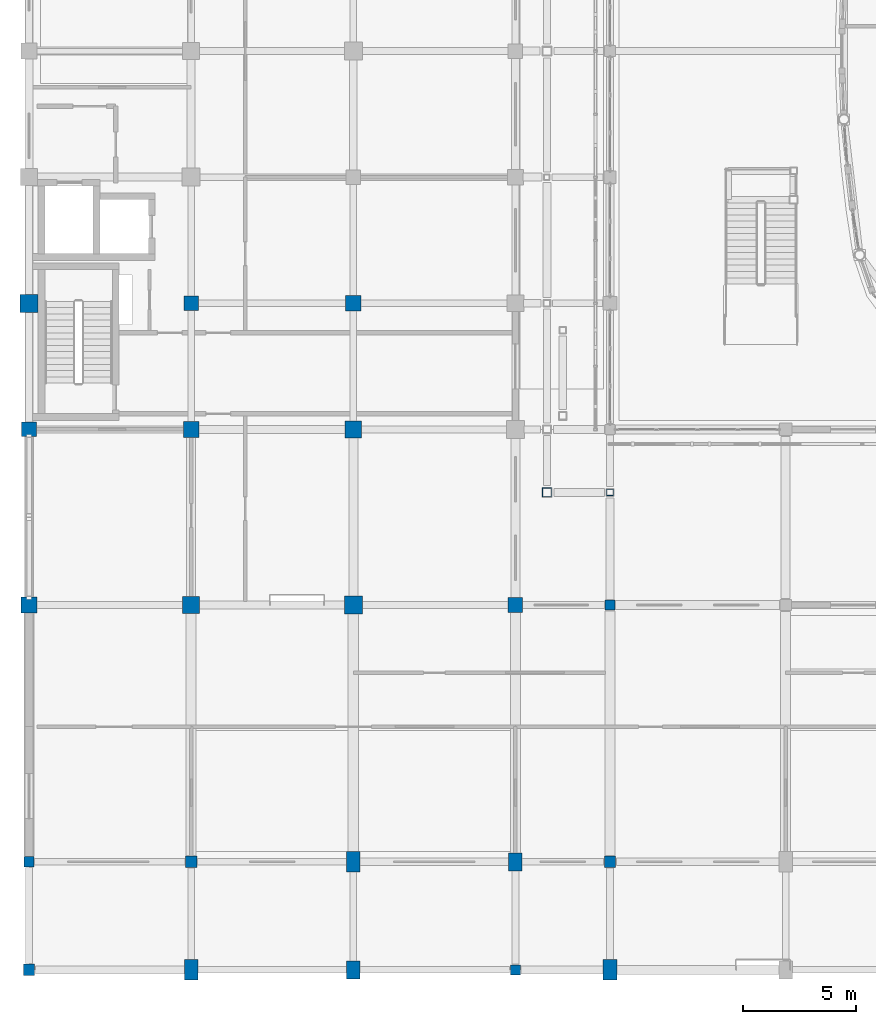
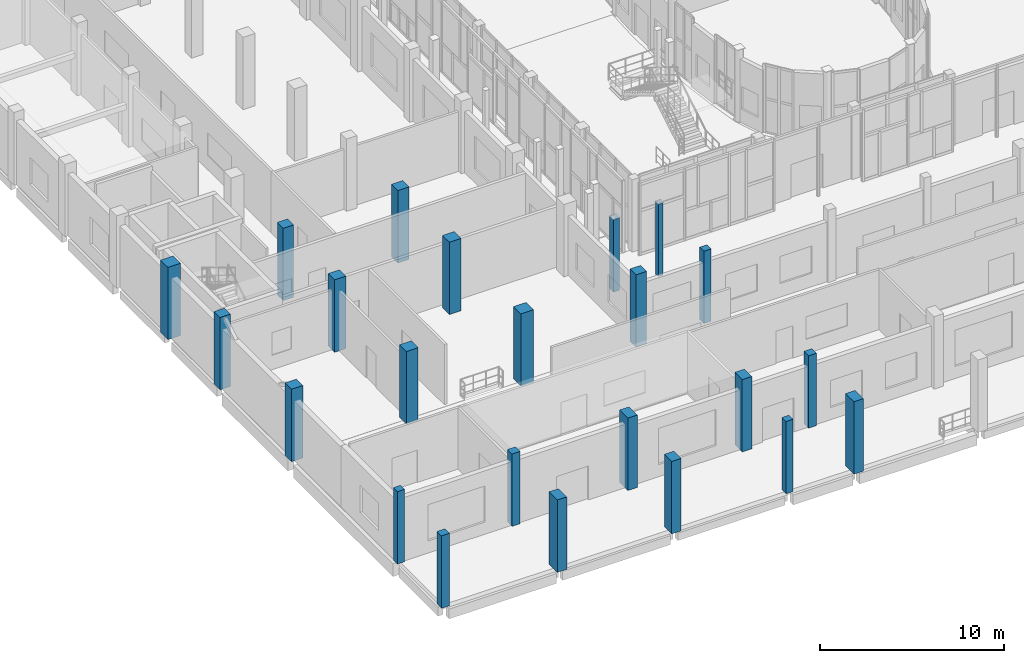
# One storey, part 2 of 91: 23 columns.
"""IFC4 building model written with IfcOpenShell, lengths in metres."""

import ifcopenshell
import ifcopenshell.guid

model = None  # the IFC model being written
_history = None  # IfcOwnerHistory: only IFC2X3 demands one
_inside = {}  # id of a spatial element -> (the spatial element, [elements in it])
_under = {}  # id of a project, library or spatial element -> (it, [spatial elements below it])
_declared = {}  # id of a project -> (the project, [libraries it declares])
_typed = {}  # id of a type object -> (the type object, [elements of that type])
_made_of = {}  # id of a material, layer set ... -> (it, [elements and type objects made of it])


def new_model(schema):
    """Start an empty IFC model of exactly this schema.

    Asked for "IFC4X3", IfcOpenShell would pick the latest addendum, in which some entities
    have other attributes; the version numbers below select the first issue.
    IFC2X3 requires an IfcOwnerHistory on every rooted entity: one is made here for all.
    """
    global model, _history
    if schema == "IFC4X3":
        model = ifcopenshell.file(schema_version=(4, 3, 0, 0))
    else:
        model = ifcopenshell.file(schema=schema)
    _inside.clear()
    _under.clear()
    _declared.clear()
    _typed.clear()
    _made_of.clear()
    _history = None
    if model.schema == "IFC2X3":
        org = make("IfcOrganization", Name="unknown")
        user = make(
            "IfcPersonAndOrganization",
            ThePerson=make("IfcPerson", FamilyName="unknown"),
            TheOrganization=org,
        )
        app = make(
            "IfcApplication",
            ApplicationDeveloper=org,
            Version="unknown",
            ApplicationFullName="unknown",
            ApplicationIdentifier="unknown",
        )
        _history = make(
            "IfcOwnerHistory",
            OwningUser=user,
            OwningApplication=app,
            ChangeAction="ADDED",
            CreationDate=0,
        )
    return model


def make(cls, **values):
    """One entity of the class cls with the attributes given. An attribute that is None is left unset."""
    return model.create_entity(
        cls, **{name: value for name, value in values.items() if value is not None}
    )


def rooted(cls, **values):
    """An entity with a GlobalId (a new one), such as an element, a storey or a relation."""
    return make(cls, GlobalId=ifcopenshell.guid.new(), OwnerHistory=_history, **values)


def si_unit(unit_type, name, prefix=None):
    """IfcSIUnit, for example si_unit("LENGTHUNIT", "METRE", prefix="MILLI")."""
    return make("IfcSIUnit", UnitType=unit_type, Prefix=prefix, Name=name)


def assignment(units):
    """IfcUnitAssignment: the units of a project."""
    return None if units is None else make("IfcUnitAssignment", Units=units)


def point(xyz):
    """IfcCartesianPoint."""
    return None if xyz is None else make("IfcCartesianPoint", Coordinates=xyz)


def direction(xyz):
    """IfcDirection."""
    return None if xyz is None else make("IfcDirection", DirectionRatios=xyz)


def frame(location, z_axis=None, x_axis=None):
    """IfcAxis2Placement3D, a coordinate frame: its origin and axes. An axis left out is left unset."""
    return make(
        "IfcAxis2Placement3D",
        Location=point(location),
        Axis=direction(z_axis),
        RefDirection=direction(x_axis),
    )


def frame_2d(location, x_axis=None):
    """IfcAxis2Placement2D, a coordinate frame in the plane: its origin and x axis."""
    return make(
        "IfcAxis2Placement2D", Location=point(location), RefDirection=direction(x_axis)
    )


def origin():
    """The frame at (0, 0, 0) with its axes left unset."""
    return frame((0.0, 0.0, 0.0))


def origin_2d():
    """The frame at (0, 0) in the plane with its x axis left unset."""
    return frame_2d((0.0, 0.0))


def place(relative_to, where):
    """IfcLocalPlacement: puts the frame where relative to a parent placement (None: the world)."""
    return make(
        "IfcLocalPlacement", PlacementRelTo=relative_to, RelativePlacement=where
    )


def context(
    kind, dimensions, precision=None, world=None, true_north=None, identifier=None
):
    """IfcGeometricRepresentationContext, for example the 3D "Model" context."""
    return make(
        "IfcGeometricRepresentationContext",
        ContextIdentifier=identifier,
        ContextType=kind,
        CoordinateSpaceDimension=dimensions,
        Precision=precision,
        WorldCoordinateSystem=world,
        TrueNorth=true_north,
    )


def subcontext(parent, identifier, kind, view, scale=None):
    """IfcGeometricRepresentationSubContext, for example "Body" below "Model"."""
    return make(
        "IfcGeometricRepresentationSubContext",
        ContextIdentifier=identifier,
        ContextType=kind,
        ParentContext=parent,
        TargetScale=scale,
        TargetView=view,
    )


def project(units=None, contexts=None):
    """IfcProject with its units and contexts."""
    return rooted(
        "IfcProject",
        Name="project",
        RepresentationContexts=contexts,
        UnitsInContext=assignment(units),
    )


def spatial(cls, under=None, at=None, **own):
    """A site, building, storey or space (cls), placed at a placement, below another one or the project."""
    s = rooted(cls, ObjectPlacement=at, **own)
    if under is not None:
        _under.setdefault(under.id(), (under, []))[1].append(s)
    return s


def profile(cls, at=None, kind="AREA", **sizes):
    """A parametric profile (cls). Its sizes go by their IFC names, for example OverallWidth=200.0."""
    return make(cls, ProfileType=kind, Position=at, **sizes)


def rectangle(**sizes):
    """IfcRectangleProfileDef."""
    return profile("IfcRectangleProfileDef", **sizes)


def hollow_rectangle(**sizes):
    """IfcRectangleHollowProfileDef."""
    return profile("IfcRectangleHollowProfileDef", **sizes)


def extrude(swept, where, along, depth):
    """IfcExtrudedAreaSolid: the profile swept, set in the frame where, extruded along a direction by depth."""
    return make(
        "IfcExtrudedAreaSolid",
        SweptArea=swept,
        Position=where,
        ExtrudedDirection=direction(along),
        Depth=depth,
    )


def shape(context_of_items, identifier, shape_type, items):
    """IfcShapeRepresentation: the items that make up one representation, for example the "Body"."""
    return make(
        "IfcShapeRepresentation",
        ContextOfItems=context_of_items,
        RepresentationIdentifier=identifier,
        RepresentationType=shape_type,
        Items=items,
    )


def material(Name=None, Category=None):
    """IfcMaterial."""
    return make("IfcMaterial", Name=Name, Category=Category)


def material_profile(
    of_material, cross_section, Name=None, Category=None, Priority=None
):
    """IfcMaterialProfile: a cross section and its material."""
    return make(
        "IfcMaterialProfile",
        Name=Name,
        Material=of_material,
        Profile=cross_section,
        Priority=Priority,
        Category=Category,
    )


def profile_set(profiles, Name=None, composite=None):
    """IfcMaterialProfileSet."""
    return make(
        "IfcMaterialProfileSet",
        Name=Name,
        MaterialProfiles=profiles,
        CompositeProfile=composite,
    )


def made_of(thing, what):
    """Note that an element or type object is made of a material, layer set ...; save() writes the relation."""
    if what is not None:
        _made_of.setdefault(what.id(), (what, []))[1].append(thing)
    return thing


def type_object(cls, material=None, **own):
    """A type object (cls), such as IfcWallType, which elements share."""
    return made_of(rooted(cls, **own), material)


def element(
    cls,
    number,
    at=None,
    inside=None,
    cuts=None,
    type_object=None,
    material=None,
    context=None,
    identifier="Body",
    shape_type=None,
    held_by="IfcProductDefinitionShape",
    body=None,
    shapes=None,
    **own,
):
    """One element of the class cls, such as IfcWall. Its Tag is "e" and its number.

    at: its placement. inside: the storey or other place that contains it. cuts: it is an
    opening in that element (IfcRelVoidsElement). A single representation is given by context,
    identifier, shape_type and body (its items); several are given by shapes. held_by: the class
    of the entity that holds the representations. save() writes the other relations.
    """
    e = rooted(cls, Tag="e%d" % number, ObjectPlacement=at, **own)
    if body is not None:
        shapes = [shape(context, identifier, shape_type, body)]
    if shapes is not None:
        e.Representation = make(held_by, Representations=shapes)
    if inside is not None:
        _inside.setdefault(inside.id(), (inside, []))[1].append(e)
    if cuts is not None:
        rooted(
            "IfcRelVoidsElement", RelatingBuildingElement=cuts, RelatedOpeningElement=e
        )
    if type_object is not None:
        _typed.setdefault(type_object.id(), (type_object, []))[1].append(e)
    return made_of(e, material)


def aggregate(whole, parts):
    """IfcRelAggregates: a whole, such as a stair, and the parts it consists of."""
    return rooted("IfcRelAggregates", RelatingObject=whole, RelatedObjects=parts)


def save(model, path):
    """Write the relations noted so far, then the file.

    IfcRelAggregates (storeys below a building ...), IfcRelContainedInSpatialStructure (elements
    in a storey), IfcRelDefinesByType, IfcRelAssociatesMaterial and IfcRelDeclares: one each for
    every whole, place, type object, material and project.
    """
    for whole, parts in _under.values():
        aggregate(whole, parts)
    for where, things in _inside.values():
        rooted(
            "IfcRelContainedInSpatialStructure",
            RelatedElements=things,
            RelatingStructure=where,
        )
    for kind, things in _typed.values():
        rooted("IfcRelDefinesByType", RelatedObjects=things, RelatingType=kind)
    for what, things in _made_of.values():
        rooted("IfcRelAssociatesMaterial", RelatedObjects=things, RelatingMaterial=what)
    for by, libraries in _declared.values():
        rooted("IfcRelDeclares", RelatingContext=by, RelatedDefinitions=libraries)
    model.write(path)


model = new_model("IFC4")

# Units and contexts
model_context = context("Model", 3, precision=1e-05, world=origin(), true_north=direction((0.0, 1.0)))
body_context = subcontext(model_context, "Body", "Model", "MODEL_VIEW")
ifc_project = project(units=[si_unit("LENGTHUNIT", "METRE"), si_unit("AREAUNIT", "SQUARE_METRE"), si_unit("VOLUMEUNIT", "CUBIC_METRE"), si_unit("PLANEANGLEUNIT", "RADIAN"), si_unit("MASSUNIT", "GRAM", prefix="KILO")], contexts=[model_context])

# Site, building, storey
site_placement = place(None, origin())
site = spatial("IfcSite", under=ifc_project, at=site_placement, CompositionType="ELEMENT")
building_placement = place(site_placement, origin())
building = spatial("IfcBuilding", under=site, at=building_placement, Name="Vinh Khe Railworks Police Headquarters", CompositionType="ELEMENT")
storey_placement = place(building_placement, origin())
storey = spatial("IfcBuildingStorey", under=building, at=storey_placement, Name="L00", CompositionType="ELEMENT", Elevation=0.0)

# Columns
ifc_material_1 = material(Name="Concrete C40/50 (B40)", Category="concrete")
ifc_material_profile_1 = material_profile(ifc_material_1, rectangle(XDim=0.449951171875, YDim=0.449951171875, at=origin_2d()), Name="RC 450x450")
ifc_profile_set_1 = profile_set([ifc_material_profile_1], Name="Concrete C40/50 (B40)")
column_type_1 = type_object("IfcColumnType", Name="RC Column RC 450x450", PredefinedType="COLUMN", material=ifc_profile_set_1)
for number, where, z_axis, x_axis, name in (
    (1, (0.60009765625, 6.0, 0.0), (0.0, 0.0, 1.0), (1.0, 0.0, 0.0), "Column COL-L00-CC-08-0005"),
    (2, (22.199951171875, 1.199951171875, 0.0), (0.0, 0.0, 1.0), (1.0, 0.0, 0.0), "Column COL-L00-CC-08-0503"),
    (3, (26.39990234375, 17.39990234375, 0.0), (0.0, 0.0, 1.0), (1.0, 0.0, 0.0), "Column COL-L00-CC-08-0715"),
):
    element("IfcColumn", number, at=place(storey_placement, frame(where, z_axis=z_axis, x_axis=x_axis)), inside=storey, type_object=column_type_1, Name=name, PredefinedType="COLUMN", context=body_context, shape_type="SweptSolid", body=[
        extrude(rectangle(XDim=0.449951171875, YDim=0.449951171875, at=origin_2d()), origin(), (0.0, 0.0, 1.0), 4.800048828125),
    ])
ifc_material_profile_2 = material_profile(ifc_material_1, rectangle(XDim=0.5, YDim=0.5, at=origin_2d()), Name="RC 500x500")
ifc_profile_set_2 = profile_set([ifc_material_profile_2], Name="Concrete C40/50 (B40)")
column_type_2 = type_object("IfcColumnType", Name="RC Column RC 500x500", PredefinedType="COLUMN", material=ifc_profile_set_2)
for number, where, z_axis, x_axis, name in (
    (4, (0.60009765625, 1.199951171875, 0.0), (0.0, 0.0, 1.0), (1.0, 0.0, 0.0), "Column COL-L00-CC-07-0002"),
    (5, (7.800048828125, 6.0, 0.0), (0.0, 0.0, 1.0), (1.0, 0.0, 0.0), "Column COL-L00-CC-07-0172"),
    (6, (26.39990234375, 6.0, 0.0), (0.0, 0.0, 1.0), (1.0, 0.0, 0.0), "Column COL-L00-CC-07-0712"),
):
    element("IfcColumn", number, at=place(storey_placement, frame(where, z_axis=z_axis, x_axis=x_axis)), inside=storey, type_object=column_type_2, Name=name, PredefinedType="COLUMN", context=body_context, shape_type="SweptSolid", body=[
        extrude(rectangle(XDim=0.5, YDim=0.5, at=origin_2d()), origin(), (0.0, 0.0, 1.0), 4.800048828125),
    ])
ifc_material_profile_3 = material_profile(ifc_material_1, rectangle(XDim=0.60009765625, YDim=0.800048828125, at=origin_2d()), Name="RC 600x800")
ifc_profile_set_3 = profile_set([ifc_material_profile_3], Name="Concrete C40/50 (B40)")
column_type_3 = type_object("IfcColumnType", Name="RC Column RC 600x800", PredefinedType="COLUMN", material=ifc_profile_set_3)
for number, where, z_axis, x_axis, name in (
    (7, (15.0, 1.199951171875, 0.0), (0.0, 0.0, 1.0), (1.0, 0.0, 0.0), "Column COL-L00-CC-09-0336"),
    (8, (22.199951171875, 6.0, 0.0), (0.0, 0.0, 1.0), (1.0, 0.0, 0.0), "Column COL-L00-CC-09-0506"),
):
    element("IfcColumn", number, at=place(storey_placement, frame(where, z_axis=z_axis, x_axis=x_axis)), inside=storey, type_object=column_type_3, Name=name, PredefinedType="COLUMN", context=body_context, shape_type="SweptSolid", body=[
        extrude(rectangle(XDim=0.60009765625, YDim=0.800048828125, at=origin_2d()), origin(), (0.0, 0.0, 1.0), 4.800048828125),
    ])
ifc_material_profile_4 = material_profile(ifc_material_1, rectangle(XDim=0.60009765625, YDim=0.89990234375, at=origin_2d()), Name="RC 600x900")
ifc_profile_set_4 = profile_set([ifc_material_profile_4], Name="Concrete C40/50 (B40)")
column_type_4 = type_object("IfcColumnType", Name="RC Column RC 600x900", PredefinedType="COLUMN", material=ifc_profile_set_4)
for number, where, z_axis, x_axis, name in (
    (9, (7.800048828125, 1.199951171875, 0.0), (0.0, 0.0, 1.0), (1.0, 0.0, 0.0), "Column COL-L00-CC-10-0169"),
    (10, (15.0, 6.0, 0.0), (0.0, 0.0, 1.0), (1.0, 0.0, 0.0), "Column COL-L00-CC-10-0339"),
    (11, (26.39990234375, 1.199951171875, 0.0), (0.0, 0.0, 1.0), (1.0, 0.0, 0.0), "Column COL-L00-CC-10-0709"),
):
    element("IfcColumn", number, at=place(storey_placement, frame(where, z_axis=z_axis, x_axis=x_axis)), inside=storey, type_object=column_type_4, Name=name, PredefinedType="COLUMN", context=body_context, shape_type="SweptSolid", body=[
        extrude(rectangle(XDim=0.60009765625, YDim=0.89990234375, at=origin_2d()), origin(), (0.0, 0.0, 1.0), 4.800048828125),
    ])
ifc_material_profile_5 = material_profile(ifc_material_1, rectangle(XDim=0.64990234375, YDim=0.64990234375, at=origin_2d()), Name="RC 650x650")
ifc_profile_set_5 = profile_set([ifc_material_profile_5], Name="Concrete C40/50 (B40)")
column_type_5 = type_object("IfcColumnType", Name="RC Column RC 650x650", PredefinedType="COLUMN", material=ifc_profile_set_5)
for number, where, z_axis, x_axis, name in (
    (12, (0.60009765625, 25.199951171875, 0.0), (0.0, 0.0, 1.0), (1.0, 0.0, 0.0), "Column COL-L00-CC-04-0018"),
    (13, (7.800048828125, 30.800048828125, 0.0), (0.0, 0.0, 1.0), (1.0, 0.0, 0.0), "Column COL-L00-CC-04-0195"),
    (14, (22.199951171875, 17.39990234375, 0.0), (0.0, 0.0, 1.0), (1.0, 0.0, 0.0), "Column COL-L00-CC-04-0509"),
):
    element("IfcColumn", number, at=place(storey_placement, frame(where, z_axis=z_axis, x_axis=x_axis)), inside=storey, type_object=column_type_5, Name=name, PredefinedType="COLUMN", context=body_context, shape_type="SweptSolid", body=[
        extrude(rectangle(XDim=0.64990234375, YDim=0.64990234375, at=origin_2d()), origin(), (0.0, 0.0, 1.0), 4.800048828125),
    ])
ifc_material_profile_6 = material_profile(ifc_material_1, rectangle(XDim=0.699951171875, YDim=0.699951171875, at=origin_2d()), Name="RC 700x700")
ifc_profile_set_6 = profile_set([ifc_material_profile_6], Name="Concrete C40/50 (B40)")
column_type_6 = type_object("IfcColumnType", Name="RC Column RC 700x700", PredefinedType="COLUMN", material=ifc_profile_set_6)
for number, where, z_axis, x_axis, name in (
    (15, (0.60009765625, 17.39990234375, 0.0), (0.0, 0.0, 1.0), (1.0, 0.0, 0.0), "Column COL-L00-CC-03-0008"),
    (16, (7.800048828125, 25.199951171875, 0.0), (0.0, 0.0, 1.0), (1.0, 0.0, 0.0), "Column COL-L00-CC-03-0185"),
    (17, (15.0, 30.800048828125, 0.0), (0.0, 0.0, 1.0), (1.0, 0.0, 0.0), "Column COL-L00-CC-03-0362"),
):
    element("IfcColumn", number, at=place(storey_placement, frame(where, z_axis=z_axis, x_axis=x_axis)), inside=storey, type_object=column_type_6, Name=name, PredefinedType="COLUMN", context=body_context, shape_type="SweptSolid", body=[
        extrude(rectangle(XDim=0.699951171875, YDim=0.699951171875, at=origin_2d()), origin(), (0.0, 0.0, 1.0), 4.800048828125),
    ])
ifc_material_profile_7 = material_profile(ifc_material_1, rectangle(XDim=0.75, YDim=0.75, at=origin_2d()), Name="RC 750x750")
ifc_profile_set_7 = profile_set([ifc_material_profile_7], Name="Concrete C40/50 (B40)")
column_type_7 = type_object("IfcColumnType", Name="RC Column RC 750x750", PredefinedType="COLUMN", material=ifc_profile_set_7)
for number, where, z_axis, x_axis, name in (
    (18, (7.800048828125, 17.39990234375, 0.0), (0.0, 0.0, 1.0), (1.0, 0.0, 0.0), "Column COL-L00-CC-02-0175"),
    (19, (15.0, 25.199951171875, 0.0), (0.0, 0.0, 1.0), (1.0, 0.0, 0.0), "Column COL-L00-CC-02-0352"),
):
    element("IfcColumn", number, at=place(storey_placement, frame(where, z_axis=z_axis, x_axis=x_axis)), inside=storey, type_object=column_type_7, Name=name, PredefinedType="COLUMN", context=body_context, shape_type="SweptSolid", body=[
        extrude(rectangle(XDim=0.75, YDim=0.75, at=origin_2d()), origin(), (0.0, 0.0, 1.0), 4.800048828125),
    ])
ifc_material_profile_8 = material_profile(ifc_material_1, rectangle(XDim=0.800048828125, YDim=0.800048828125, at=origin_2d()), Name="RC 800x800")
ifc_profile_set_8 = profile_set([ifc_material_profile_8], Name="Concrete C40/50 (B40)")
column_type_8 = type_object("IfcColumnType", Name="RC Column RC 800x800", PredefinedType="COLUMN", material=ifc_profile_set_8)
for number, where, z_axis, x_axis, name in (
    (20, (0.60009765625, 30.800048828125, 0.0), (0.0, 0.0, 1.0), (1.0, 0.0, 0.0), "Column COL-L00-CC-01-0028"),
    (21, (15.0, 17.39990234375, 0.0), (0.0, 0.0, 1.0), (1.0, 0.0, 0.0), "Column COL-L00-CC-01-0342"),
):
    element("IfcColumn", number, at=place(storey_placement, frame(where, z_axis=z_axis, x_axis=x_axis)), inside=storey, type_object=column_type_8, Name=name, PredefinedType="COLUMN", context=body_context, shape_type="SweptSolid", body=[
        extrude(rectangle(XDim=0.800048828125, YDim=0.800048828125, at=origin_2d()), origin(), (0.0, 0.0, 1.0), 4.800048828125),
    ])
ifc_material_2 = material(Name="Steel S355JR", Category="steel")
ifc_material_profile_9 = material_profile(ifc_material_2, hollow_rectangle(XDim=0.300048828125, YDim=0.300048828125, WallThickness=0.01611328125, at=origin_2d()), Name="SHS 300x300x16")
ifc_profile_set_9 = profile_set([ifc_material_profile_9], Name="Steel S355JR")
column_type_9 = type_object("IfcColumnType", Name="Steel Column SHS 300x300x16", PredefinedType="COLUMN", material=ifc_profile_set_9)
column_1_placement = place(storey_placement, frame((26.39990234375, 22.39990234375, 0.0), z_axis=(0.0, 0.0, 1.0), x_axis=(1.0, 0.0, 0.0)))
element("IfcColumn", 22, at=column_1_placement, inside=storey, type_object=column_type_9, Name="Column COL-L00-SC-23-0718", PredefinedType="COLUMN", context=body_context, shape_type="SweptSolid", body=[
    extrude(hollow_rectangle(XDim=0.300048828125, YDim=0.300048828125, WallThickness=0.01611328125, at=origin_2d()), origin(), (0.0, 0.0, 1.0), 4.800048828125),
])
ifc_material_profile_10 = material_profile(ifc_material_2, hollow_rectangle(XDim=0.39990234375, YDim=0.39990234375, WallThickness=0.02001953125, at=origin_2d()), Name="SHS 400x400x20")
ifc_profile_set_10 = profile_set([ifc_material_profile_10], Name="Steel S355JR")
column_type_10 = type_object("IfcColumnType", Name="Steel Column SHS 400x400x20", PredefinedType="COLUMN", material=ifc_profile_set_10)
column_2_placement = place(storey_placement, frame((23.60009765625, 22.39990234375, 0.0), z_axis=(0.0, 0.0, 1.0), x_axis=(1.0, 0.0, 0.0)))
element("IfcColumn", 23, at=column_2_placement, inside=storey, type_object=column_type_10, Name="Column COL-L00-SC-21-0656", PredefinedType="COLUMN", context=body_context, shape_type="SweptSolid", body=[
    extrude(hollow_rectangle(XDim=0.39990234375, YDim=0.39990234375, WallThickness=0.02001953125, at=origin_2d()), origin(), (0.0, 0.0, 1.0), 4.800048828125),
])

save(model, "model.ifc")
